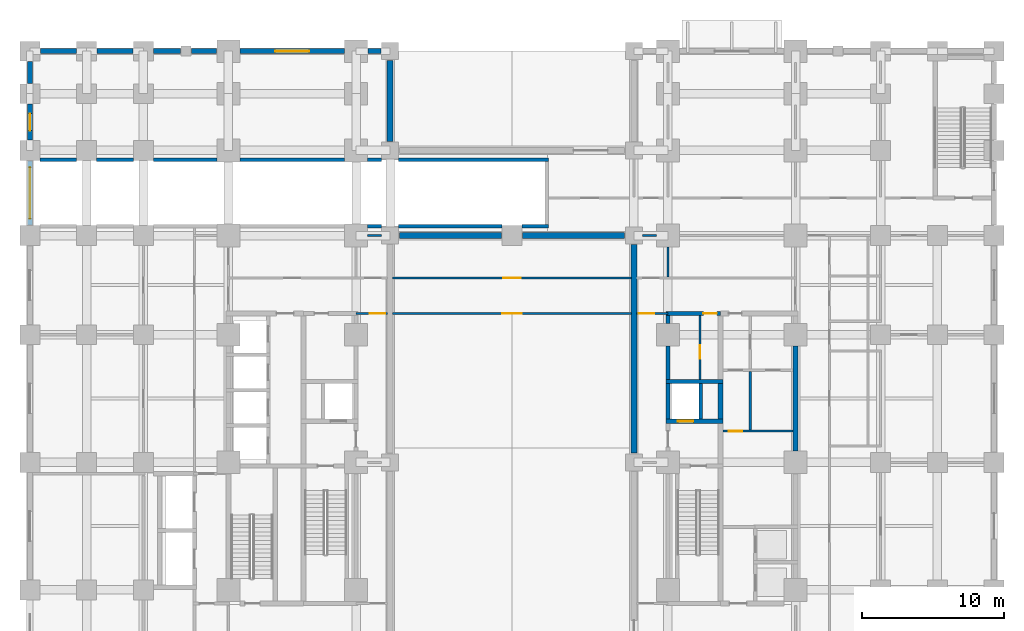
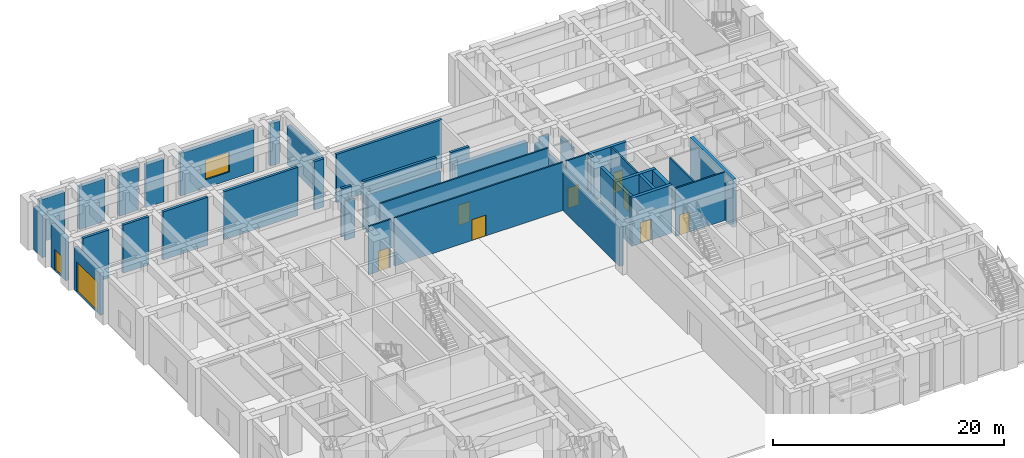
# One storey, part 10 of 20: 41 walls, 10 doors, 1 window, 11 openings.
"""IFC4 building model written with IfcOpenShell, lengths in metres."""

from ifc_helpers import new_model, si_unit, direction, frame, frame_2d, origin, place, context, subcontext, project, spatial, rectangle, extrude, material, layer, layer_set, type_object, element, fill, save


model = new_model("IFC4")

# Units and contexts
model_context = context("Model", 3, precision=1e-05, world=origin(), true_north=direction((0.0, 1.0)))
body_context = subcontext(model_context, "Body", "Model", "MODEL_VIEW")
ifc_project = project(units=[si_unit("LENGTHUNIT", "METRE"), si_unit("AREAUNIT", "SQUARE_METRE"), si_unit("VOLUMEUNIT", "CUBIC_METRE"), si_unit("PLANEANGLEUNIT", "RADIAN"), si_unit("MASSUNIT", "GRAM", prefix="KILO")], contexts=[model_context])

# Site, building, storey
site_placement = place(None, origin())
site = spatial("IfcSite", under=ifc_project, at=site_placement, CompositionType="ELEMENT")
building_placement = place(site_placement, origin())
building = spatial("IfcBuilding", under=site, at=building_placement, Name="Zulmaris Gate Convention Tower", CompositionType="ELEMENT")
storey_placement = place(building_placement, origin())
storey = spatial("IfcBuildingStorey", under=building, at=storey_placement, Name="L00", CompositionType="ELEMENT", Elevation=0.0)

# Walls
ifc_material_1 = material(Name="Concrete C50/60", Category="concrete")
ifc_layer_1 = layer(ifc_material_1, 0.25, Name="Concrete C50/60")
ifc_layer_set_1 = layer_set([ifc_layer_1], Name="Concrete C50/60")
wall_type_1 = type_object("IfcWallType", Name="CORE-250", PredefinedType="SOLIDWALL", material=ifc_layer_set_1)
wall_1_placement = place(storey_placement, frame((-10.196044921875, 16.64990234375, 0.0), z_axis=(0.0, 0.0, 1.0), x_axis=(1.0, 0.0, 0.0)))
element("IfcWall", 1, at=wall_1_placement, inside=storey, type_object=wall_type_1, Name="WL-L00-027S4", PredefinedType="SOLIDWALL", context=body_context, shape_type="SweptSolid", body=[
    extrude(rectangle(XDim=0.991943359375, YDim=0.25, at=frame_2d((0.49609375, 0.0))), origin(), (0.0, 0.0, 1.0), 5.08984375),
])
wall_2_placement = place(storey_placement, frame((-7.99609375, 16.64990234375, 0.0), z_axis=(0.0, 0.0, 1.0), x_axis=(1.0, 0.0, 0.0)))
element("IfcWall", 2, at=wall_2_placement, inside=storey, type_object=wall_type_1, Name="WL-L00-027S5", PredefinedType="SOLIDWALL", context=body_context, shape_type="SweptSolid", body=[
    extrude(rectangle(XDim=7.2919921875, YDim=0.25, at=frame_2d((3.64599609375, 0.0))), origin(), (0.0, 0.0, 1.0), 5.08984375),
])
wall_3_placement = place(storey_placement, frame((0.7041015625, 16.64990234375, 0.0), z_axis=(0.0, 0.0, 1.0), x_axis=(1.0, 0.0, 0.0)))
element("IfcWall", 3, at=wall_3_placement, inside=storey, type_object=wall_type_1, Name="WL-L00-027S6", PredefinedType="SOLIDWALL", context=body_context, shape_type="SweptSolid", body=[
    extrude(rectangle(XDim=1.870849609375, YDim=0.25, at=frame_2d((0.935546875, 0.0))), origin(), (0.0, 0.0, 1.0), 5.08984375),
])
for number, where, z_axis, x_axis, name in (
    (4, (-33.2958984375, 21.35009765625, 0.0), (0.0, 0.0, 1.0), (1.0, 0.0, 0.0), "WL-L00-029"),
    (5, (-29.2958984375, 21.35009765625, 0.0), (0.0, 0.0, 1.0), (1.0, 0.0, 0.0), "WL-L00-029S1"),
):
    element("IfcWall", number, at=place(storey_placement, frame(where, z_axis=z_axis, x_axis=x_axis)), inside=storey, type_object=wall_type_1, Name=name, PredefinedType="SOLIDWALL", context=body_context, shape_type="SweptSolid", body=[
        extrude(rectangle(XDim=2.591796875, YDim=0.25, at=frame_2d((1.2958984375, 0.0))), origin(), (0.0, 0.0, 1.0), 5.08984375),
    ])
wall_4_placement = place(storey_placement, frame((-25.2958984375, 21.35009765625, 0.0), z_axis=(0.0, 0.0, 1.0), x_axis=(1.0, 0.0, 0.0)))
element("IfcWall", 6, at=wall_4_placement, inside=storey, type_object=wall_type_1, Name="WL-L00-029S2", PredefinedType="SOLIDWALL", context=body_context, shape_type="SweptSolid", body=[
    extrude(rectangle(XDim=4.491943359375, YDim=0.25, at=frame_2d((2.24609375, 0.0))), origin(), (0.0, 0.0, 1.0), 5.08984375),
])
wall_5_placement = place(storey_placement, frame((-19.196044921875, 21.35009765625, 0.0), z_axis=(0.0, 0.0, 1.0), x_axis=(1.0, 0.0, 0.0)))
element("IfcWall", 7, at=wall_5_placement, inside=storey, type_object=wall_type_1, Name="WL-L00-029S3", PredefinedType="SOLIDWALL", context=body_context, shape_type="SweptSolid", body=[
    extrude(rectangle(XDim=7.39208984375, YDim=0.25, at=frame_2d((3.696044921875, 0.0))), origin(), (0.0, 0.0, 1.0), 5.08984375),
])
wall_6_placement = place(storey_placement, frame((-10.196044921875, 21.35009765625, 0.0), z_axis=(0.0, 0.0, 1.0), x_axis=(1.0, 0.0, 0.0)))
element("IfcWall", 8, at=wall_6_placement, inside=storey, type_object=wall_type_1, Name="WL-L00-029S4", PredefinedType="SOLIDWALL", context=body_context, shape_type="SweptSolid", body=[
    extrude(rectangle(XDim=0.991943359375, YDim=0.25, at=frame_2d((0.49609375, 0.0))), origin(), (0.0, 0.0, 1.0), 5.08984375),
])
wall_7_placement = place(storey_placement, frame((-7.99609375, 21.35009765625, 0.0), z_axis=(0.0, 0.0, 1.0), x_axis=(1.0, 0.0, 0.0)))
element("IfcWall", 9, at=wall_7_placement, inside=storey, type_object=wall_type_1, Name="WL-L00-029S5", PredefinedType="SOLIDWALL", context=body_context, shape_type="SweptSolid", body=[
    extrude(rectangle(XDim=10.571044921875, YDim=0.25, at=frame_2d((5.28564453125, 0.0))), origin(), (0.0, 0.0, 1.0), 5.08984375),
])
wall_8_placement = place(storey_placement, frame((13.300048828125, 3.052001953125, 0.0), z_axis=(0.0, 0.0, 1.0), x_axis=(0.0, 1.0, 0.0)))
element("IfcWall", 10, at=wall_8_placement, inside=storey, type_object=wall_type_1, Name="WL-L00-096", PredefinedType="SOLIDWALL", context=body_context, shape_type="SweptSolid", body=[
    extrude(rectangle(XDim=2.49609375, YDim=0.25, at=frame_2d((1.248046875, 0.0))), origin(), (0.0, 0.0, 1.0), 5.08984375),
])

# Wall, opening, door
ifc_layer_2 = layer(ifc_material_1, 0.300048828125, Name="Concrete C50/60")
ifc_layer_set_2 = layer_set([ifc_layer_2], Name="Concrete C50/60")
wall_type_2 = type_object("IfcWallType", Name="CORE-300", PredefinedType="SHEAR", material=ifc_layer_set_2)
wall_9_placement = place(storey_placement, frame((10.85009765625, 2.89990234375, 0.0), z_axis=(0.0, 0.0, 1.0), x_axis=(1.0, 0.0, 0.0)))
wall_9 = element("IfcWall", 11, at=wall_9_placement, inside=storey, type_object=wall_type_2, Name="WL-L00-018", PredefinedType="SHEAR", context=body_context, shape_type="SweptSolid", body=[
    extrude(rectangle(XDim=4.02490234375, YDim=0.300048828125, at=frame_2d((2.012451171875, 0.0))), origin(), (0.0, 0.0, 1.0), 5.08984375),
])
opening_1_placement = place(wall_9_placement, frame((0.85009765625, 0.0, 0.0)))
opening_1 = element("IfcOpeningElement", 12, at=opening_1_placement, cuts=wall_9, Name="Opening D-06", PredefinedType="OPENING", context=body_context, shape_type="SweptSolid", body=[
    extrude(rectangle(XDim=1.10009765625, YDim=2.199951171875, at=frame_2d((0.550048828125, 1.10009765625))), frame((0.0, 0.16015625, 0.0), z_axis=(0.0, -1.0, 0.0), x_axis=(1.0, 0.0, 0.0)), (0.0, 0.0, 1.0), 0.320068359375),
])
ifc_material_2 = material(Name="Brushed Stainless Steel", Category="steel")
door_type_1 = type_object("IfcDoorType", Name="LD-1100", OperationType="NOTDEFINED", PredefinedType="DOOR", material=ifc_material_2)
door_1_placement = place(opening_1_placement, origin())
door_1 = element("IfcDoor", 13, at=door_1_placement, inside=storey, type_object=door_type_1, Name="L00 Lift Landing Door LF-02 06", OperationType="SLIDING_TO_RIGHT", OverallHeight=2.199951171875, OverallWidth=1.10009765625, PredefinedType="DOOR", context=body_context, shape_type="SweptSolid", body=[
    extrude(rectangle(XDim=1.10009765625, YDim=2.199951171875, at=frame_2d((0.550048828125, 1.10009765625))), frame((0.0, 0.02490234375, 0.0), z_axis=(0.0, -1.0, 0.0), x_axis=(1.0, 0.0, 0.0)), (0.0, 0.0, 1.0), 0.050048828125),
])
fill(opening_1, door_1)

# Wall
wall_10_placement = place(storey_placement, frame((10.85009765625, 5.699951171875, 0.0), z_axis=(0.0, 0.0, 1.0), x_axis=(1.0, 0.0, 0.0)))
element("IfcWall", 14, at=wall_10_placement, inside=storey, type_object=wall_type_2, Name="WL-L00-021", PredefinedType="SHEAR", context=body_context, shape_type="SweptSolid", body=[
    extrude(rectangle(XDim=4.02490234375, YDim=0.300048828125, at=frame_2d((2.012451171875, 0.0))), origin(), (0.0, 0.0, 1.0), 5.08984375),
])

# Wall, opening, door
wall_11_placement = place(storey_placement, frame((10.85009765625, 10.5, 0.0), z_axis=(0.0, 0.0, 1.0), x_axis=(1.0, 0.0, 0.0)))
wall_11 = element("IfcWall", 15, at=wall_11_placement, inside=storey, type_object=wall_type_2, Name="WL-L00-025", PredefinedType="SHEAR", context=body_context, shape_type="SweptSolid", body=[
    extrude(rectangle(XDim=3.849853515625, YDim=0.300048828125, at=frame_2d((1.9248046875, 0.0))), origin(), (0.0, 0.0, 1.0), 5.08984375),
])
opening_2_placement = place(wall_11_placement, frame((2.655029296875, 0.0, 0.0)))
opening_2 = element("IfcOpeningElement", 16, at=opening_2_placement, cuts=wall_11, Name="Opening D-11", PredefinedType="OPENING", context=body_context, shape_type="SweptSolid", body=[
    extrude(rectangle(XDim=0.949951171875, YDim=2.14990234375, at=frame_2d((0.47509765625, 1.074951171875))), frame((0.0, 0.16015625, 0.0), z_axis=(0.0, -1.0, 0.0), x_axis=(1.0, 0.0, 0.0)), (0.0, 0.0, 1.0), 0.320068359375),
])
ifc_material_3 = material(Name="Fire-Rated Timber", Category="wood")
door_type_2 = type_object("IfcDoorType", Name="DR-950-FD", OperationType="NOTDEFINED", PredefinedType="DOOR", material=ifc_material_3)
door_2_placement = place(opening_2_placement, origin())
door_2 = element("IfcDoor", 17, at=door_2_placement, inside=storey, type_object=door_type_2, Name="L00 Core Linen Closet Door 08", OperationType="SINGLE_SWING_LEFT", OverallHeight=2.14990234375, OverallWidth=0.949951171875, PredefinedType="DOOR", context=body_context, shape_type="SweptSolid", body=[
    extrude(rectangle(XDim=0.949951171875, YDim=2.14990234375, at=frame_2d((0.47509765625, 1.074951171875))), frame((0.0, 0.02490234375, 0.0), z_axis=(0.0, -1.0, 0.0), x_axis=(1.0, 0.0, 0.0)), (0.0, 0.0, 1.0), 0.050048828125),
])
fill(opening_2, door_2)

# Walls
wall_12_placement = place(storey_placement, frame((11.0, 3.052001953125, 0.0), z_axis=(0.0, 0.0, 1.0), x_axis=(0.0, 1.0, 0.0)))
element("IfcWall", 18, at=wall_12_placement, inside=storey, type_object=wall_type_2, Name="WL-L00-093", PredefinedType="SHEAR", context=body_context, shape_type="SweptSolid", body=[
    extrude(rectangle(XDim=2.49609375, YDim=0.300048828125, at=frame_2d((1.248046875, 0.0))), origin(), (0.0, 0.0, 1.0), 5.08984375),
])
wall_13_placement = place(storey_placement, frame((11.0, 5.85205078125, 0.0), z_axis=(0.0, 0.0, 1.0), x_axis=(0.0, 1.0, 0.0)))
element("IfcWall", 19, at=wall_13_placement, inside=storey, type_object=wall_type_2, Name="WL-L00-094", PredefinedType="SHEAR", context=body_context, shape_type="SweptSolid", body=[
    extrude(rectangle(XDim=2.343994140625, YDim=0.300048828125, at=frame_2d((1.171875, 0.0))), origin(), (0.0, 0.0, 1.0), 5.08984375),
])
wall_14_placement = place(storey_placement, frame((11.0, 9.803955078125, 0.0), z_axis=(0.0, 0.0, 1.0), x_axis=(0.0, 1.0, 0.0)))
element("IfcWall", 20, at=wall_14_placement, inside=storey, type_object=wall_type_2, Name="WL-L00-094S1", PredefinedType="SHEAR", context=body_context, shape_type="SweptSolid", body=[
    extrude(rectangle(XDim=0.5439453125, YDim=0.300048828125, at=frame_2d((0.27197265625, 0.0))), origin(), (0.0, 0.0, 1.0), 5.08984375),
])
ifc_material_4 = material(Name="Concrete C55/67", Category="concrete")
ifc_layer_3 = layer(ifc_material_4, 0.35009765625, Name="Concrete C55/67")
ifc_layer_set_3 = layer_set([ifc_layer_3], Name="Concrete C55/67")
wall_type_3 = type_object("IfcWallType", Name="CORE-350", PredefinedType="SHEAR", material=ifc_layer_set_3)
wall_15_placement = place(storey_placement, frame((14.699951171875, 3.052001953125, 0.0), z_axis=(0.0, 0.0, 1.0), x_axis=(0.0, 1.0, 0.0)))
element("IfcWall", 21, at=wall_15_placement, inside=storey, type_object=wall_type_3, Name="WL-L00-099", PredefinedType="SHEAR", context=body_context, shape_type="SweptSolid", body=[
    extrude(rectangle(XDim=2.49609375, YDim=0.35009765625, at=frame_2d((1.248046875, 0.0))), origin(), (0.0, 0.0, 1.0), 5.08984375),
])
wall_16_placement = place(storey_placement, frame((20.0, 0.803955078125, 0.0), z_axis=(0.0, 0.0, 1.0), x_axis=(0.0, 1.0, 0.0)))
element("IfcWall", 22, at=wall_16_placement, inside=storey, type_object=wall_type_3, Name="WL-L00-105S1", PredefinedType="SHEAR", context=body_context, shape_type="SweptSolid", body=[
    extrude(rectangle(XDim=7.39208984375, YDim=0.35009765625, at=frame_2d((3.696044921875, 0.0))), origin(), (0.0, 0.0, 1.0), 5.08984375),
])

# Wall, opening, door
ifc_material_5 = material(Name="Gypsum Metal Stud Partition")
ifc_layer_4 = layer(ifc_material_5, 0.14990234375, Name="Gypsum Metal Stud Partition")
ifc_layer_set_4 = layer_set([ifc_layer_4], Name="Gypsum Metal Stud Partition")
wall_type_4 = type_object("IfcWallType", Name="PART-150", PredefinedType="PARTITIONING", material=ifc_layer_set_4)
wall_17_placement = place(storey_placement, frame((14.8779296875, 2.199951171875, 0.0), z_axis=(0.0, 0.0, 1.0), x_axis=(1.0, 0.0, 0.0)))
wall_17 = element("IfcWall", 23, at=wall_17_placement, inside=storey, type_object=wall_type_4, Name="WL-L00-048", PredefinedType="PARTITIONING", context=body_context, shape_type="SweptSolid", body=[
    extrude(rectangle(XDim=4.944091796875, YDim=0.14990234375, at=frame_2d((2.47216796875, 0.0))), origin(), (0.0, 0.0, 1.0), 5.08984375),
])
opening_3_placement = place(wall_17_placement, frame((0.39697265625, 0.0, 0.0)))
opening_3 = element("IfcOpeningElement", 24, at=opening_3_placement, cuts=wall_17, Name="Opening D-11", PredefinedType="OPENING", context=body_context, shape_type="SweptSolid", body=[
    extrude(rectangle(XDim=0.949951171875, YDim=2.14990234375, at=frame_2d((0.47509765625, 1.074951171875))), frame((0.0, 0.0849609375, 0.0), z_axis=(0.0, -1.0, 0.0), x_axis=(1.0, 0.0, 0.0)), (0.0, 0.0, 1.0), 0.169921875),
])
door_3_placement = place(opening_3_placement, origin())
door_3 = element("IfcDoor", 25, at=door_3_placement, inside=storey, type_object=door_type_2, Name="L00 East Switchroom Door 21", OperationType="SINGLE_SWING_RIGHT", OverallHeight=2.14990234375, OverallWidth=0.949951171875, PredefinedType="DOOR", context=body_context, shape_type="SweptSolid", body=[
    extrude(rectangle(XDim=0.949951171875, YDim=2.14990234375, at=frame_2d((0.47509765625, 1.074951171875))), frame((0.0, 0.02490234375, 0.0), z_axis=(0.0, -1.0, 0.0), x_axis=(1.0, 0.0, 0.0)), (0.0, 0.0, 1.0), 0.050048828125),
])
fill(opening_3, door_3)

wall_18_placement = place(storey_placement, frame((-11.0, 10.5, 0.0), z_axis=(0.0, 0.0, 1.0), x_axis=(1.0, 0.0, 0.0)))
wall_18 = element("IfcWall", 26, at=wall_18_placement, inside=storey, type_object=wall_type_4, Name="WL-L00-054", PredefinedType="PARTITIONING", context=body_context, shape_type="SweptSolid", body=[
    extrude(rectangle(XDim=2.235107421875, YDim=0.14990234375, at=frame_2d((1.11767578125, 0.0))), origin(), (0.0, 0.0, 1.0), 5.08984375),
])
opening_4_placement = place(wall_18_placement, frame((0.969970703125, 0.0, 0.0)))
opening_4 = element("IfcOpeningElement", 27, at=opening_4_placement, cuts=wall_18, Name="Opening D-08", PredefinedType="OPENING", context=body_context, shape_type="SweptSolid", body=[
    extrude(rectangle(XDim=1.10009765625, YDim=2.14990234375, at=frame_2d((0.550048828125, 1.074951171875))), frame((0.0, 0.0849609375, 0.0), z_axis=(0.0, -1.0, 0.0), x_axis=(1.0, 0.0, 0.0)), (0.0, 0.0, 1.0), 0.169921875),
])
ifc_material_6 = material(Name="Fire-Rated Steel", Category="steel")
door_type_3 = type_object("IfcDoorType", Name="DR-1100-FD", OperationType="NOTDEFINED", PredefinedType="DOOR", material=ifc_material_6)
door_4_placement = place(opening_4_placement, origin())
door_4 = element("IfcDoor", 28, at=door_4_placement, inside=storey, type_object=door_type_3, Name="L00 West Spine Core Door 39", OperationType="SINGLE_SWING_RIGHT", OverallHeight=2.14990234375, OverallWidth=1.10009765625, PredefinedType="DOOR", context=body_context, shape_type="SweptSolid", body=[
    extrude(rectangle(XDim=1.10009765625, YDim=2.14990234375, at=frame_2d((0.550048828125, 1.074951171875))), frame((0.0, 0.02490234375, 0.0), z_axis=(0.0, -1.0, 0.0), x_axis=(1.0, 0.0, 0.0)), (0.0, 0.0, 1.0), 0.050048828125),
])
fill(opening_4, door_4)

wall_19_placement = place(storey_placement, frame((-8.43505859375, 10.5, 0.0), z_axis=(0.0, 0.0, 1.0), x_axis=(1.0, 0.0, 0.0)))
wall_19 = element("IfcWall", 29, at=wall_19_placement, inside=storey, type_object=wall_type_4, Name="WL-L00-055", PredefinedType="PARTITIONING", context=body_context, shape_type="SweptSolid", body=[
    extrude(rectangle(XDim=16.8701171875, YDim=0.14990234375, at=frame_2d((8.43505859375, 0.0))), origin(), (0.0, 0.0, 1.0), 5.08984375),
])
opening_5_placement = place(wall_19_placement, frame((7.735107421875, 0.0, 0.0)))
opening_5 = element("IfcOpeningElement", 30, at=opening_5_placement, cuts=wall_19, Name="Opening D-14", PredefinedType="OPENING", context=body_context, shape_type="SweptSolid", body=[
    extrude(rectangle(XDim=1.39990234375, YDim=2.199951171875, at=frame_2d((0.699951171875, 1.10009765625))), frame((0.0, 0.0849609375, 0.0), z_axis=(0.0, -1.0, 0.0), x_axis=(1.0, 0.0, 0.0)), (0.0, 0.0, 1.0), 0.169921875),
])
ifc_material_7 = material(Name="Fire-Rated Glazed Steel", Category="steel")
door_type_4 = type_object("IfcDoorType", Name="DR-1400-FD", OperationType="NOTDEFINED", PredefinedType="DOOR", material=ifc_material_7)
door_5_placement = place(opening_5_placement, origin())
door_5 = element("IfcDoor", 31, at=door_5_placement, inside=storey, type_object=door_type_4, Name="L00 Pishtaq North Core Concourse Door 50", OperationType="SINGLE_SWING_LEFT", OverallHeight=2.199951171875, OverallWidth=1.39990234375, PredefinedType="DOOR", context=body_context, shape_type="SweptSolid", body=[
    extrude(rectangle(XDim=1.39990234375, YDim=2.199951171875, at=frame_2d((0.699951171875, 1.10009765625))), frame((0.0, 0.02490234375, 0.0), z_axis=(0.0, -1.0, 0.0), x_axis=(1.0, 0.0, 0.0)), (0.0, 0.0, 1.0), 0.050048828125),
])
fill(opening_5, door_5)

wall_20_placement = place(storey_placement, frame((8.764892578125, 10.5, 0.0), z_axis=(0.0, 0.0, 1.0), x_axis=(1.0, 0.0, 0.0)))
wall_20 = element("IfcWall", 32, at=wall_20_placement, inside=storey, type_object=wall_type_4, Name="WL-L00-056", PredefinedType="PARTITIONING", context=body_context, shape_type="SweptSolid", body=[
    extrude(rectangle(XDim=2.235107421875, YDim=0.14990234375, at=frame_2d((1.11767578125, 0.0))), origin(), (0.0, 0.0, 1.0), 5.08984375),
])
opening_6_placement = place(wall_20_placement, frame((0.1650390625, 0.0, 0.0)))
opening_6 = element("IfcOpeningElement", 33, at=opening_6_placement, cuts=wall_20, Name="Opening D-08", PredefinedType="OPENING", context=body_context, shape_type="SweptSolid", body=[
    extrude(rectangle(XDim=1.10009765625, YDim=2.14990234375, at=frame_2d((0.550048828125, 1.074951171875))), frame((0.0, 0.0849609375, 0.0), z_axis=(0.0, -1.0, 0.0), x_axis=(1.0, 0.0, 0.0)), (0.0, 0.0, 1.0), 0.169921875),
])
door_6_placement = place(opening_6_placement, origin())
door_6 = element("IfcDoor", 34, at=door_6_placement, inside=storey, type_object=door_type_3, Name="L00 East Spine Core Door 40", OperationType="SINGLE_SWING_LEFT", OverallHeight=2.14990234375, OverallWidth=1.10009765625, PredefinedType="DOOR", context=body_context, shape_type="SweptSolid", body=[
    extrude(rectangle(XDim=1.10009765625, YDim=2.14990234375, at=frame_2d((0.550048828125, 1.074951171875))), frame((0.0, 0.02490234375, 0.0), z_axis=(0.0, -1.0, 0.0), x_axis=(1.0, 0.0, 0.0)), (0.0, 0.0, 1.0), 0.050048828125),
])
fill(opening_6, door_6)

wall_21_placement = place(storey_placement, frame((-8.43505859375, 13.0, 0.0), z_axis=(0.0, 0.0, 1.0), x_axis=(1.0, 0.0, 0.0)))
wall_21 = element("IfcWall", 35, at=wall_21_placement, inside=storey, type_object=wall_type_4, Name="WL-L00-058", PredefinedType="PARTITIONING", context=body_context, shape_type="SweptSolid", body=[
    extrude(rectangle(XDim=16.8701171875, YDim=0.14990234375, at=frame_2d((8.43505859375, 0.0))), origin(), (0.0, 0.0, 1.0), 5.08984375),
])
opening_7_placement = place(wall_21_placement, frame((7.8349609375, 0.0, 0.0)))
opening_7 = element("IfcOpeningElement", 36, at=opening_7_placement, cuts=wall_21, Name="Opening D-13", PredefinedType="OPENING", context=body_context, shape_type="SweptSolid", body=[
    extrude(rectangle(XDim=1.199951171875, YDim=2.14990234375, at=frame_2d((0.60009765625, 1.074951171875))), frame((0.0, 0.0849609375, 0.0), z_axis=(0.0, -1.0, 0.0), x_axis=(1.0, 0.0, 0.0)), (0.0, 0.0, 1.0), 0.169921875),
])
door_type_5 = type_object("IfcDoorType", Name="DR-1200-FD", OperationType="NOTDEFINED", PredefinedType="DOOR", material=ifc_material_6)
door_7_placement = place(opening_7_placement, origin())
door_7 = element("IfcDoor", 37, at=door_7_placement, inside=storey, type_object=door_type_5, Name="L00 Pishtaq Foyer Core Door 51", OperationType="SINGLE_SWING_RIGHT", OverallHeight=2.14990234375, OverallWidth=1.199951171875, PredefinedType="DOOR", context=body_context, shape_type="SweptSolid", body=[
    extrude(rectangle(XDim=1.199951171875, YDim=2.14990234375, at=frame_2d((0.60009765625, 1.074951171875))), frame((0.0, 0.02490234375, 0.0), z_axis=(0.0, -1.0, 0.0), x_axis=(1.0, 0.0, 0.0)), (0.0, 0.0, 1.0), 0.050048828125),
])
fill(opening_7, door_7)

# Walls
for number, where, z_axis, x_axis, name in (
    (38, (-10.194091796875, 16.0, 0.0), (0.0, 0.0, 1.0), (1.0, 0.0, 0.0), "WL-L00-062"),
    (39, (9.2060546875, 16.0, 0.0), (0.0, 0.0, 1.0), (1.0, 0.0, 0.0), "WL-L00-063"),
):
    element("IfcWall", number, at=place(storey_placement, frame(where, z_axis=z_axis, x_axis=x_axis)), inside=storey, type_object=wall_type_4, Name=name, PredefinedType="PARTITIONING", context=body_context, shape_type="SweptSolid", body=[
        extrude(rectangle(XDim=0.988037109375, YDim=0.14990234375, at=frame_2d((0.494140625, 0.0))), origin(), (0.0, 0.0, 1.0), 4.1318359375),
    ])
wall_22_placement = place(storey_placement, frame((11.0, 13.077880859375, 0.0), z_axis=(0.0, 0.0, 1.0), x_axis=(0.0, 1.0, 0.0)))
element("IfcWall", 40, at=wall_22_placement, inside=storey, type_object=wall_type_4, Name="WL-L00-129", PredefinedType="PARTITIONING", context=body_context, shape_type="SweptSolid", body=[
    extrude(rectangle(XDim=2.1162109375, YDim=0.14990234375, at=frame_2d((1.05810546875, 0.0))), origin(), (0.0, 0.0, 1.0), 4.1318359375),
])

# Wall, opening, door
wall_23_placement = place(storey_placement, frame((13.25, 5.85302734375, 0.0), z_axis=(0.0, 0.0, 1.0), x_axis=(0.0, 1.0, 0.0)))
wall_23 = element("IfcWall", 41, at=wall_23_placement, inside=storey, type_object=wall_type_4, Name="WL-L00-131", PredefinedType="PARTITIONING", context=body_context, shape_type="SweptSolid", body=[
    extrude(rectangle(XDim=4.493896484375, YDim=0.14990234375, at=frame_2d((2.2470703125, 0.0))), origin(), (0.0, 0.0, 1.0), 5.08984375),
])
opening_8_placement = place(wall_23_placement, frame((1.471923828125, 0.0, 0.0)))
opening_8 = element("IfcOpeningElement", 42, at=opening_8_placement, cuts=wall_23, Name="Opening D-11", PredefinedType="OPENING", context=body_context, shape_type="SweptSolid", body=[
    extrude(rectangle(XDim=0.949951171875, YDim=2.14990234375, at=frame_2d((0.47509765625, 1.074951171875))), frame((0.0, 0.0849609375, 0.0), z_axis=(0.0, -1.0, 0.0), x_axis=(1.0, 0.0, 0.0)), (0.0, 0.0, 1.0), 0.169921875),
])
door_8_placement = place(opening_8_placement, origin())
door_8 = element("IfcDoor", 43, at=door_8_placement, inside=storey, type_object=door_type_2, Name="L00 Core Service Pantry Door 09", OperationType="SINGLE_SWING_RIGHT", OverallHeight=2.14990234375, OverallWidth=0.949951171875, PredefinedType="DOOR", context=body_context, shape_type="SweptSolid", body=[
    extrude(rectangle(XDim=0.949951171875, YDim=2.14990234375, at=frame_2d((0.47509765625, 1.074951171875))), frame((0.0, 0.02490234375, 0.0), z_axis=(0.0, -1.0, 0.0), x_axis=(1.0, 0.0, 0.0)), (0.0, 0.0, 1.0), 0.050048828125),
])
fill(opening_8, door_8)

# Walls
wall_24_placement = place(storey_placement, frame((16.800048828125, 2.278076171875, 0.0), z_axis=(0.0, 0.0, 1.0), x_axis=(0.0, 1.0, 0.0)))
element("IfcWall", 44, at=wall_24_placement, inside=storey, type_object=wall_type_4, Name="WL-L00-132", PredefinedType="PARTITIONING", context=body_context, shape_type="SweptSolid", body=[
    extrude(rectangle(XDim=4.14404296875, YDim=0.14990234375, at=frame_2d((2.072021484375, 0.0))), origin(), (0.0, 0.0, 1.0), 5.08984375),
])
ifc_material_8 = material(Name="Precast concrete C50/60", Category="concrete")
ifc_layer_5 = layer(ifc_material_8, 0.39990234375, Name="Precast concrete C50/60")
ifc_layer_set_5 = layer_set([ifc_layer_5], Name="Precast concrete C50/60")
wall_type_5 = type_object("IfcWallType", Name="PRECAST-ARCH-400", PredefinedType="STANDARD", material=ifc_layer_set_5)
wall_25_placement = place(storey_placement, frame((8.60009765625, 15.35009765625, 0.0), z_axis=(0.0, 0.0, 1.0), x_axis=(0.0, -1.0, 0.0)))
element("IfcWall", 45, at=wall_25_placement, inside=storey, type_object=wall_type_5, Name="EW-L00-ARCH-EN_0", PredefinedType="STANDARD", context=body_context, shape_type="SweptSolid", body=[
    extrude(rectangle(XDim=14.7001953125, YDim=0.39990234375, at=frame_2d((7.35009765625, 0.0))), origin(), (0.0, 0.0, 1.0), 4.1318359375),
])
for number, where, z_axis, x_axis, name in (
    (46, (-7.949951171875, 16.0, 0.0), (0.0, 0.0, 1.0), (1.0, 0.0, 0.0), "EW-L00-ARCH-N_0"),
    (47, (0.72998046875, 16.0, 0.0), (0.0, 0.0, 1.0), (1.0, 0.0, 0.0), "EW-L00-ARCH-N_1"),
):
    element("IfcWall", number, at=place(storey_placement, frame(where, z_axis=z_axis, x_axis=x_axis)), inside=storey, type_object=wall_type_5, Name=name, PredefinedType="STANDARD", context=body_context, shape_type="SweptSolid", body=[
        extrude(rectangle(XDim=7.219970703125, YDim=0.39990234375, at=frame_2d((3.60986328125, 0.0))), origin(), (0.0, 0.0, 1.0), 4.1318359375),
    ])
wall_26_placement = place(storey_placement, frame((-8.60009765625, 22.6298828125, 0.0), z_axis=(0.0, 0.0, 1.0), x_axis=(0.0, 1.0, 0.0)))
element("IfcWall", 48, at=wall_26_placement, inside=storey, type_object=wall_type_5, Name="EW-L00-ARCH-NWS_0", PredefinedType="STANDARD", context=body_context, shape_type="SweptSolid", body=[
    extrude(rectangle(XDim=5.72021484375, YDim=0.39990234375, at=frame_2d((2.860107421875, 0.0))), origin(), (0.0, 0.0, 1.0), 4.1318359375),
])
ifc_material_9 = material(Name="Precast concrete C45/55", Category="concrete")
ifc_layer_6 = layer(ifc_material_9, 0.35009765625, Name="Precast concrete C45/55")
ifc_layer_set_6 = layer_set([ifc_layer_6], Name="Precast concrete C45/55")
wall_type_6 = type_object("IfcWallType", Name="PRECAST-POD-350", PredefinedType="STANDARD", material=ifc_layer_set_6)
for number, where, z_axis, x_axis, name in (
    (49, (-30.72998046875, 29.0, 0.0), (0.0, 0.0, 1.0), (-1.0, 0.0, 0.0), "EW-L00-N--340_0"),
    (50, (-26.72998046875, 29.0, 0.0), (0.0, 0.0, 1.0), (-1.0, 0.0, 0.0), "EW-L00-N--300_0"),
):
    element("IfcWall", number, at=place(storey_placement, frame(where, z_axis=z_axis, x_axis=x_axis)), inside=storey, type_object=wall_type_6, Name=name, PredefinedType="STANDARD", context=body_context, shape_type="SweptSolid", body=[
        extrude(rectangle(XDim=2.5400390625, YDim=0.35009765625, at=frame_2d((1.27001953125, 0.0))), origin(), (0.0, 0.0, 1.0), 4.48193359375),
    ])
wall_27_placement = place(storey_placement, frame((-23.3798828125, 29.0, 0.0), z_axis=(0.0, 0.0, 1.0), x_axis=(-1.0, 0.0, 0.0)))
element("IfcWall", 51, at=wall_27_placement, inside=storey, type_object=wall_type_6, Name="EW-L00-N--260_0", PredefinedType="STANDARD", context=body_context, shape_type="SweptSolid", body=[
    extrude(rectangle(XDim=1.89013671875, YDim=0.35009765625, at=frame_2d((0.945068359375, 0.0))), origin(), (0.0, 0.0, 1.0), 4.48193359375),
])
wall_28_placement = place(storey_placement, frame((-20.830078125, 29.0, 0.0), z_axis=(0.0, 0.0, 1.0), x_axis=(-1.0, 0.0, 0.0)))
element("IfcWall", 52, at=wall_28_placement, inside=storey, type_object=wall_type_6, Name="EW-L00-N--230_0", PredefinedType="STANDARD", context=body_context, shape_type="SweptSolid", body=[
    extrude(rectangle(XDim=1.7900390625, YDim=0.35009765625, at=frame_2d((0.89501953125, 0.0))), origin(), (0.0, 0.0, 1.0), 4.48193359375),
])

# Wall, opening, window
wall_29_placement = place(storey_placement, frame((-11.830078125, 29.0, 0.0), z_axis=(0.0, 0.0, 1.0), x_axis=(-1.0, 0.0, 0.0)))
wall_29 = element("IfcWall", 53, at=wall_29_placement, inside=storey, type_object=wall_type_6, Name="EW-L00-N--200_0", PredefinedType="STANDARD", context=body_context, shape_type="SweptSolid", body=[
    extrude(rectangle(XDim=7.33984375, YDim=0.35009765625, at=frame_2d((3.669921875, 0.0))), origin(), (0.0, 0.0, 1.0), 4.48193359375),
])
opening_9_placement = place(wall_29_placement, frame((2.469970703125, 0.0, 0.85009765625)))
opening_9 = element("IfcOpeningElement", 54, at=opening_9_placement, cuts=wall_29, Name="Opening W-01", PredefinedType="OPENING", context=body_context, shape_type="SweptSolid", body=[
    extrude(rectangle(XDim=2.39990234375, YDim=2.10009765625, at=frame_2d((1.199951171875, 1.050048828125))), frame((0.0, 0.18505859375, 0.0), z_axis=(0.0, -1.0, 0.0), x_axis=(1.0, 0.0, 0.0)), (0.0, 0.0, 1.0), 0.3701171875),
])
ifc_material_10 = material(Name="Low-E Laminated Double Glazing in Aluminium Frame", Category="aluminium")
window_type = type_object("IfcWindowType", Name="WIN-2400x2200", PartitioningType="SINGLE_PANEL", PredefinedType="WINDOW", material=ifc_material_10)
window_placement = place(opening_9_placement, origin())
window = element("IfcWindow", 55, at=window_placement, inside=storey, type_object=window_type, Name="WN-EW-L00-N--200_0", OverallHeight=2.10009765625, OverallWidth=2.39990234375, PartitioningType="SINGLE_PANEL", PredefinedType="WINDOW", context=body_context, shape_type="SweptSolid", body=[
    extrude(rectangle(XDim=2.39990234375, YDim=2.10009765625, at=frame_2d((1.199951171875, 1.050048828125))), frame((0.0, 0.030029296875, 0.0), z_axis=(0.0, -1.0, 0.0), x_axis=(1.0, 0.0, 0.0)), (0.0, 0.0, 1.0), 0.06005859375),
])
fill(opening_9, window)

# Wall
wall_30_placement = place(storey_placement, frame((-9.22998046875, 29.0, 0.0), z_axis=(0.0, 0.0, 1.0), x_axis=(-1.0, 0.0, 0.0)))
element("IfcWall", 56, at=wall_30_placement, inside=storey, type_object=wall_type_6, Name="EW-L00-N--110_0", PredefinedType="STANDARD", context=body_context, shape_type="SweptSolid", body=[
    extrude(rectangle(XDim=0.93994140625, YDim=0.35009765625, at=frame_2d((0.469970703125, 0.0))), origin(), (0.0, 0.0, 1.0), 4.48193359375),
])

# Wall, opening, door
wall_31_placement = place(storey_placement, frame((-34.0, 16.72998046875, 0.0), z_axis=(0.0, 0.0, 1.0), x_axis=(0.0, 1.0, 0.0)))
wall_31 = element("IfcWall", 57, at=wall_31_placement, inside=storey, type_object=wall_type_6, Name="EW-L00-W-16_0", PredefinedType="STANDARD", context=body_context, shape_type="SweptSolid", body=[
    extrude(rectangle(XDim=4.5400390625, YDim=0.35009765625, at=frame_2d((2.27001953125, 0.0))), origin(), (0.0, 0.0, 1.0), 4.48193359375),
])
opening_10_placement = place(wall_31_placement, frame((0.469970703125, 0.0, 0.0)))
opening_10 = element("IfcOpeningElement", 58, at=opening_10_placement, cuts=wall_31, Name="Opening D-05", PredefinedType="OPENING", context=body_context, shape_type="SweptSolid", body=[
    extrude(rectangle(XDim=3.60009765625, YDim=3.199951171875, at=frame_2d((1.800048828125, 1.60009765625))), frame((0.0, 0.18505859375, 0.0), z_axis=(0.0, -1.0, 0.0), x_axis=(1.0, 0.0, 0.0)), (0.0, 0.0, 1.0), 0.3701171875),
])
ifc_material_11 = material(Name="Galvanised Steel Roller Shutter", Category="steel")
door_type_6 = type_object("IfcDoorType", Name="ED-3600", OperationType="ROLLINGUP", PredefinedType="DOOR", material=ifc_material_11)
door_9_placement = place(opening_10_placement, origin())
door_9 = element("IfcDoor", 59, at=door_9_placement, inside=storey, type_object=door_type_6, Name="Car Park Ramp Portal Gate", OperationType="ROLLINGUP", OverallHeight=3.199951171875, OverallWidth=3.60009765625, PredefinedType="DOOR", context=body_context, shape_type="SweptSolid", body=[
    extrude(rectangle(XDim=3.60009765625, YDim=3.199951171875, at=frame_2d((1.800048828125, 1.60009765625))), frame((0.0, 0.02490234375, 0.0), z_axis=(0.0, -1.0, 0.0), x_axis=(1.0, 0.0, 0.0)), (0.0, 0.0, 1.0), 0.050048828125),
])
fill(opening_10, door_9)

wall_32_placement = place(storey_placement, frame((-34.0, 22.72998046875, 0.0), z_axis=(0.0, 0.0, 1.0), x_axis=(0.0, 1.0, 0.0)))
wall_32 = element("IfcWall", 60, at=wall_32_placement, inside=storey, type_object=wall_type_6, Name="EW-L00-W-22_0", PredefinedType="STANDARD", context=body_context, shape_type="SweptSolid", body=[
    extrude(rectangle(XDim=2.5400390625, YDim=0.35009765625, at=frame_2d((1.27001953125, 0.0))), origin(), (0.0, 0.0, 1.0), 4.48193359375),
])
opening_11_placement = place(wall_32_placement, frame((0.669921875, 0.0, 0.0)))
opening_11 = element("IfcOpeningElement", 61, at=opening_11_placement, cuts=wall_32, Name="Opening D-03", PredefinedType="OPENING", context=body_context, shape_type="SweptSolid", body=[
    extrude(rectangle(XDim=1.199951171875, YDim=2.199951171875, at=frame_2d((0.60009765625, 1.10009765625))), frame((0.0, 0.18505859375, 0.0), z_axis=(0.0, -1.0, 0.0), x_axis=(1.0, 0.0, 0.0)), (0.0, 0.0, 1.0), 0.3701171875),
])
ifc_material_12 = material(Name="Powder-Coated Steel", Category="steel")
door_type_7 = type_object("IfcDoorType", Name="ED-1200", OperationType="SINGLE_SWING_LEFT", PredefinedType="DOOR", material=ifc_material_12)
door_10_placement = place(opening_11_placement, origin())
door_10 = element("IfcDoor", 62, at=door_10_placement, inside=storey, type_object=door_type_7, Name="Bicycle and Service Store Street Door", OperationType="SINGLE_SWING_LEFT", OverallHeight=2.199951171875, OverallWidth=1.199951171875, PredefinedType="DOOR", context=body_context, shape_type="SweptSolid", body=[
    extrude(rectangle(XDim=1.199951171875, YDim=2.199951171875, at=frame_2d((0.60009765625, 1.10009765625))), frame((0.0, 0.02490234375, 0.0), z_axis=(0.0, -1.0, 0.0), x_axis=(1.0, 0.0, 0.0)), (0.0, 0.0, 1.0), 0.050048828125),
])
fill(opening_11, door_10)

# Wall
wall_33_placement = place(storey_placement, frame((-34.0, 26.72998046875, 0.0), z_axis=(0.0, 0.0, 1.0), x_axis=(0.0, 1.0, 0.0)))
element("IfcWall", 63, at=wall_33_placement, inside=storey, type_object=wall_type_6, Name="EW-L00-W-26_0", PredefinedType="STANDARD", context=body_context, shape_type="SweptSolid", body=[
    extrude(rectangle(XDim=1.5400390625, YDim=0.35009765625, at=frame_2d((0.77001953125, 0.0))), origin(), (0.0, 0.0, 1.0), 4.48193359375),
])

save(model, "model.ifc")
